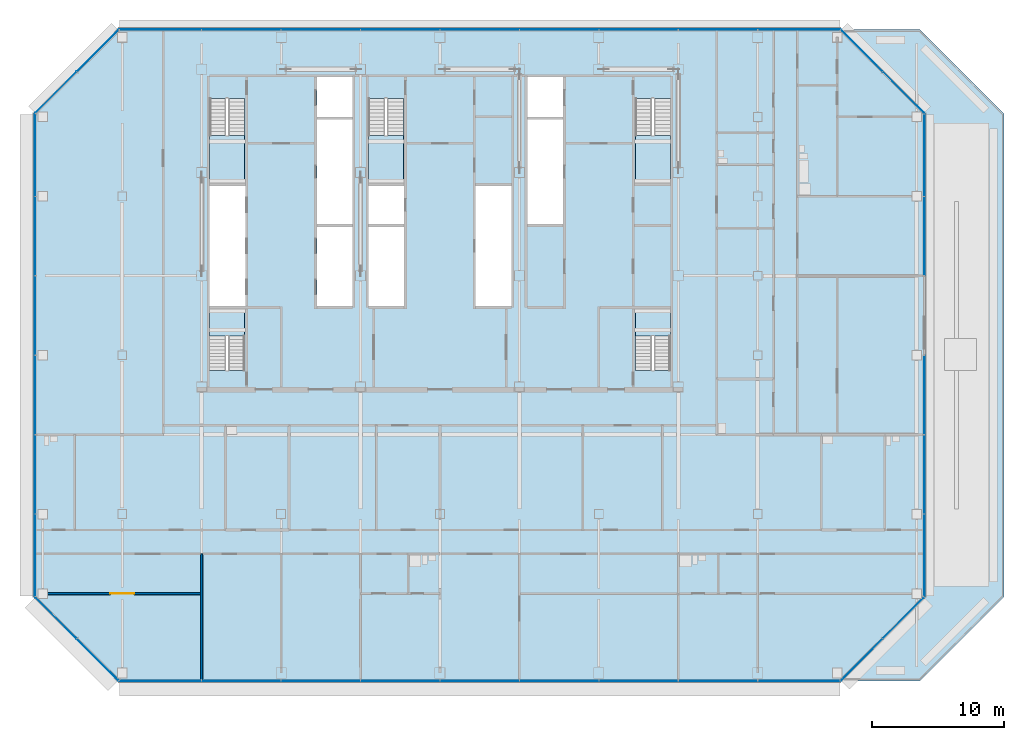
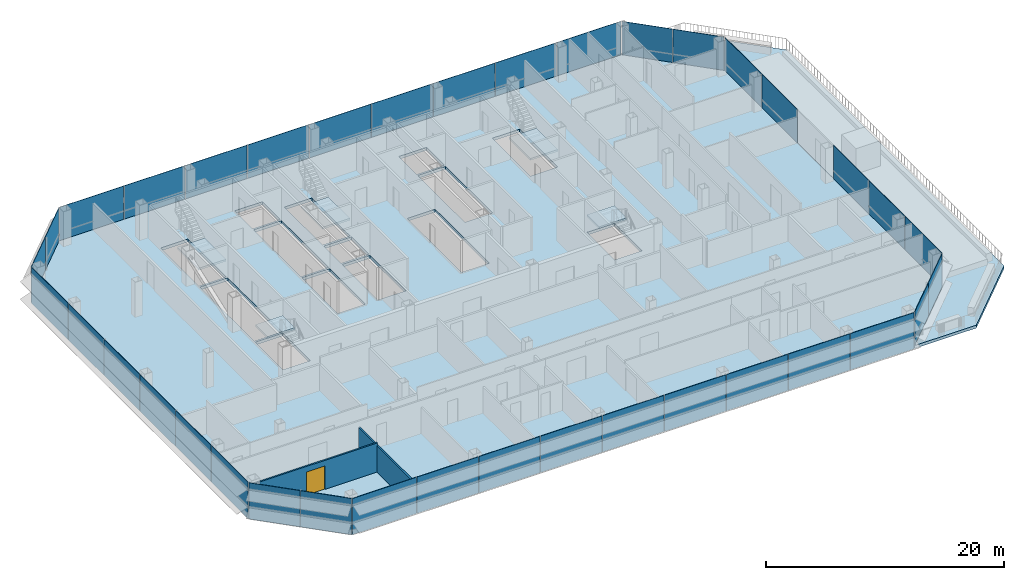
# One storey, part 16 of 28: 37 plates, 7 slabs, 2 walls, 1 door, 1 opening, 13 elements without a shape of their own.
"""IFC4 building model written with IfcOpenShell, lengths in metres."""

from ifc_helpers import new_model, si_unit, direction, frame, frame_2d, origin, origin_2d, place, context, subcontext, project, spatial, polyline, rectangle, outline, extrude, material, layer, layer_set, type_object, element, fill, aggregate, save


model = new_model("IFC4")

# Units and contexts
model_context = context("Model", 3, precision=1e-05, world=origin(), true_north=direction((0.0, 1.0)))
body_context = subcontext(model_context, "Body", "Model", "MODEL_VIEW")
ifc_project = project(units=[si_unit("LENGTHUNIT", "METRE"), si_unit("AREAUNIT", "SQUARE_METRE"), si_unit("VOLUMEUNIT", "CUBIC_METRE"), si_unit("PLANEANGLEUNIT", "RADIAN"), si_unit("MASSUNIT", "GRAM", prefix="KILO")], contexts=[model_context])

# Site, building, storey
site_placement = place(None, origin())
site = spatial("IfcSite", under=ifc_project, at=site_placement, CompositionType="ELEMENT")
building_placement = place(site_placement, origin())
building = spatial("IfcBuilding", under=site, at=building_placement, Name="Sorahane Residences", CompositionType="ELEMENT")
storey_placement = place(building_placement, frame((0.0, 0.0, 96.199951171875)))
storey = spatial("IfcBuildingStorey", under=building, at=storey_placement, Name="L20", CompositionType="ELEMENT", Elevation=96.199951171875)

# Slab
ifc_material_1 = material(Name="Concrete C35", Category="concrete")
ifc_layer_1 = layer(ifc_material_1, 0.300048828125)
ifc_layer_set_1 = layer_set([ifc_layer_1], Name="Composite floor slab 300 mm Concrete C35")
slab_type_1 = type_object("IfcSlabType", Name="Composite floor slab 300 mm Concrete C35", PredefinedType="FLOOR", material=ifc_layer_set_1)
slab_1_placement = place(storey_placement, frame((0.0, 0.0, -0.300048828125)))
element("IfcSlab", 1, at=slab_1_placement, inside=storey, type_object=slab_type_1, Name="Slab L20", PredefinedType="FLOOR", context=body_context, shape_type="SweptSolid", body=[
    extrude(outline(polyline([(-0.24853515625, -0.60009765625), (-6.60009765625, 5.75146484375), (-6.60009765625, 42.24853515625), (-0.24853515625, 48.60009765625), (54.24853515625, 48.60009765625), (60.60009765625, 42.24853515625), (60.60009765625, 5.75146484375), (54.24853515625, -0.60009765625), (-0.24853515625, -0.60009765625)]), holes=[polyline([(18.60009765625, 27.699951171875), (21.300048828125, 27.699951171875), (21.300048828125, 33.699951171875), (18.60009765625, 33.699951171875), (18.60009765625, 27.699951171875)]), polyline([(30.60009765625, 42.0), (33.300048828125, 42.0), (33.300048828125, 45.0), (30.60009765625, 45.0), (30.60009765625, 42.0)]), polyline([(14.699951171875, 27.699951171875), (17.39990234375, 27.699951171875), (17.39990234375, 33.699951171875), (14.699951171875, 33.699951171875), (14.699951171875, 27.699951171875)]), polyline([(14.699951171875, 42.0), (17.39990234375, 42.0), (17.39990234375, 45.0), (14.699951171875, 45.0), (14.699951171875, 42.0)]), polyline([(6.60009765625, 27.699951171875), (9.300048828125, 27.699951171875), (9.300048828125, 36.800048828125), (6.60009765625, 36.800048828125), (6.60009765625, 27.699951171875)]), polyline([(6.60009765625, 43.39990234375), (6.60009765625, 37.0), (9.25, 37.0), (9.25, 43.39990234375), (6.60009765625, 43.39990234375)]), polyline([(38.75, 43.39990234375), (38.75, 37.0), (41.39990234375, 37.0), (41.39990234375, 43.39990234375), (38.75, 43.39990234375)]), polyline([(18.60009765625, 43.39990234375), (18.60009765625, 37.0), (21.25, 37.0), (21.25, 43.39990234375), (18.60009765625, 43.39990234375)]), polyline([(9.25, 22.85009765625), (9.25, 27.5), (6.60009765625, 27.5), (6.60009765625, 22.85009765625), (9.25, 22.85009765625)]), polyline([(41.39990234375, 22.85009765625), (41.39990234375, 27.5), (38.75, 27.5), (38.75, 22.85009765625), (41.39990234375, 22.85009765625)]), polyline([(14.699951171875, 33.89990234375), (17.39990234375, 33.89990234375), (17.39990234375, 41.800048828125), (14.699951171875, 41.800048828125), (14.699951171875, 33.89990234375)]), polyline([(30.60009765625, 33.89990234375), (33.300048828125, 33.89990234375), (33.300048828125, 41.800048828125), (30.60009765625, 41.800048828125), (30.60009765625, 33.89990234375)]), polyline([(18.60009765625, 33.89990234375), (21.300048828125, 33.89990234375), (21.300048828125, 36.800048828125), (18.60009765625, 36.800048828125), (18.60009765625, 33.89990234375)]), polyline([(26.699951171875, 27.699951171875), (29.39990234375, 27.699951171875), (29.39990234375, 36.800048828125), (26.699951171875, 36.800048828125), (26.699951171875, 27.699951171875)])]), origin(), (0.0, 0.0, 1.0), 0.300048828125),
])

# Curtain wall, plates
ifc_material_2 = material(Name="Dark low-e glass and black anodised aluminium", Category="aluminium")
curtain_wall_type_1 = type_object("IfcCurtainWallType", Name="Curtain wall CW-1 Typical unitised wall", PredefinedType="NOTDEFINED", material=ifc_material_2)
curtain_wall_1_placement = place(storey_placement, origin())
curtain_wall_1 = element("IfcCurtainWall", 2, at=curtain_wall_1_placement, inside=storey, type_object=curtain_wall_type_1, Name="CW-1 curtain wall L20 S1", PredefinedType="NOTDEFINED")
ifc_material_3 = material(Name="Dark low-e glass with black ceramic frit", Category="glass")
ifc_layer_2 = layer(ifc_material_3, 0.0400390625)
ifc_layer_set_2 = layer_set([ifc_layer_2], Name="Curtain wall glass panel dark low-e with black frit spandrel band")
plate_type = type_object("IfcPlateType", Name="Curtain wall glass panel dark low-e with black frit spandrel band", PredefinedType="CURTAIN_PANEL", material=ifc_layer_set_2)
plate_1_placement = place(storey_placement, frame((2.88818359375, -0.60009765625, -0.2998046875), z_axis=(0.0, 0.0, 1.0), x_axis=(1.0, 0.0, 0.0)))
plate_1 = element("IfcPlate", 3, at=plate_1_placement, type_object=plate_type, Name="CW-1 glass panel L20 S1.1", PredefinedType="CURTAIN_PANEL", context=body_context, shape_type="SweptSolid", body=[
    extrude(rectangle(XDim=6.173583984375, YDim=0.0400390625, at=origin_2d()), origin(), (0.0, 0.0, 1.0), 3.719970703125),
])
plate_2_placement = place(storey_placement, frame((9.0, -0.60009765625, -0.2998046875), z_axis=(0.0, 0.0, 1.0), x_axis=(1.0, 0.0, 0.0)))
plate_2 = element("IfcPlate", 4, at=plate_2_placement, type_object=plate_type, Name="CW-1 glass panel L20 S1.2", PredefinedType="CURTAIN_PANEL", context=body_context, shape_type="SweptSolid", body=[
    extrude(rectangle(XDim=5.949951171875, YDim=0.0400390625, at=origin_2d()), origin(), (0.0, 0.0, 1.0), 3.719970703125),
])
plate_3_placement = place(storey_placement, frame((15.0, -0.60009765625, -0.2998046875), z_axis=(0.0, 0.0, 1.0), x_axis=(1.0, 0.0, 0.0)))
plate_3 = element("IfcPlate", 5, at=plate_3_placement, type_object=plate_type, Name="CW-1 glass panel L20 S1.3", PredefinedType="CURTAIN_PANEL", context=body_context, shape_type="SweptSolid", body=[
    extrude(rectangle(XDim=5.949951171875, YDim=0.0400390625, at=origin_2d()), origin(), (0.0, 0.0, 1.0), 3.719970703125),
])
plate_4_placement = place(storey_placement, frame((21.0, -0.60009765625, -0.2998046875), z_axis=(0.0, 0.0, 1.0), x_axis=(1.0, 0.0, 0.0)))
plate_4 = element("IfcPlate", 6, at=plate_4_placement, type_object=plate_type, Name="CW-1 glass panel L20 S1.4", PredefinedType="CURTAIN_PANEL", context=body_context, shape_type="SweptSolid", body=[
    extrude(rectangle(XDim=5.949951171875, YDim=0.0400390625, at=origin_2d()), origin(), (0.0, 0.0, 1.0), 3.719970703125),
])
plate_5_placement = place(storey_placement, frame((27.0, -0.60009765625, -0.2998046875), z_axis=(0.0, 0.0, 1.0), x_axis=(1.0, 0.0, 0.0)))
plate_5 = element("IfcPlate", 7, at=plate_5_placement, type_object=plate_type, Name="CW-1 glass panel L20 S1.5", PredefinedType="CURTAIN_PANEL", context=body_context, shape_type="SweptSolid", body=[
    extrude(rectangle(XDim=5.949951171875, YDim=0.0400390625, at=origin_2d()), origin(), (0.0, 0.0, 1.0), 3.719970703125),
])
plate_6_placement = place(storey_placement, frame((33.0, -0.60009765625, -0.2998046875), z_axis=(0.0, 0.0, 1.0), x_axis=(1.0, 0.0, 0.0)))
plate_6 = element("IfcPlate", 8, at=plate_6_placement, type_object=plate_type, Name="CW-1 glass panel L20 S1.6", PredefinedType="CURTAIN_PANEL", context=body_context, shape_type="SweptSolid", body=[
    extrude(rectangle(XDim=5.949951171875, YDim=0.0400390625, at=origin_2d()), origin(), (0.0, 0.0, 1.0), 3.719970703125),
])
plate_7_placement = place(storey_placement, frame((39.0, -0.60009765625, -0.2998046875), z_axis=(0.0, 0.0, 1.0), x_axis=(1.0, 0.0, 0.0)))
plate_7 = element("IfcPlate", 9, at=plate_7_placement, type_object=plate_type, Name="CW-1 glass panel L20 S1.7", PredefinedType="CURTAIN_PANEL", context=body_context, shape_type="SweptSolid", body=[
    extrude(rectangle(XDim=5.949951171875, YDim=0.0400390625, at=origin_2d()), origin(), (0.0, 0.0, 1.0), 3.719970703125),
])
plate_8_placement = place(storey_placement, frame((45.0, -0.60009765625, -0.2998046875), z_axis=(0.0, 0.0, 1.0), x_axis=(1.0, 0.0, 0.0)))
plate_8 = element("IfcPlate", 10, at=plate_8_placement, type_object=plate_type, Name="CW-1 glass panel L20 S1.8", PredefinedType="CURTAIN_PANEL", context=body_context, shape_type="SweptSolid", body=[
    extrude(rectangle(XDim=5.949951171875, YDim=0.0400390625, at=origin_2d()), origin(), (0.0, 0.0, 1.0), 3.719970703125),
])
plate_9_placement = place(storey_placement, frame((51.11181640625, -0.60009765625, -0.2998046875), z_axis=(0.0, 0.0, 1.0), x_axis=(1.0, 0.0, 0.0)))
plate_9 = element("IfcPlate", 11, at=plate_9_placement, type_object=plate_type, Name="CW-1 glass panel L20 S1.9", PredefinedType="CURTAIN_PANEL", context=body_context, shape_type="SweptSolid", body=[
    extrude(rectangle(XDim=6.173583984375, YDim=0.0400390625, at=origin_2d()), origin(), (0.0, 0.0, 1.0), 3.719970703125),
])
aggregate(curtain_wall_1, [plate_1, plate_2, plate_3, plate_4, plate_5, plate_6, plate_7, plate_8, plate_9])

ifc_material_4 = material(Name="Dark low-e glass and black anodised aluminium", Category="aluminium")
curtain_wall_type_2 = type_object("IfcCurtainWallType", Name="Curtain wall CW-2 Chamfer unitised wall", PredefinedType="NOTDEFINED", material=ifc_material_4)
curtain_wall_2_placement = place(storey_placement, origin())
curtain_wall_2 = element("IfcCurtainWall", 12, at=curtain_wall_2_placement, inside=storey, type_object=curtain_wall_type_2, Name="CW-2 curtain wall L20 SE1", PredefinedType="NOTDEFINED")
plate_10_placement = place(storey_placement, frame((55.84521484375, 0.996826171875, -0.2998046875), z_axis=(0.0, 0.0, 1.0), x_axis=(0.707106781187, 0.707106781187, 0.0)))
plate_10 = element("IfcPlate", 13, at=plate_10_placement, type_object=plate_type, Name="CW-2 glass panel L20 SE1.1", PredefinedType="CURTAIN_PANEL", context=body_context, shape_type="SweptSolid", body=[
    extrude(rectangle(XDim=4.416259765625, YDim=0.0400390625, at=origin_2d()), origin(), (0.0, 0.0, 1.0), 3.719970703125),
])
plate_11_placement = place(storey_placement, frame((59.003173828125, 4.15478515625, -0.2998046875), z_axis=(0.0, 0.0, 1.0), x_axis=(0.707106781187, 0.707106781187, 0.0)))
plate_11 = element("IfcPlate", 14, at=plate_11_placement, type_object=plate_type, Name="CW-2 glass panel L20 SE1.2", PredefinedType="CURTAIN_PANEL", context=body_context, shape_type="SweptSolid", body=[
    extrude(rectangle(XDim=4.416259765625, YDim=0.0400390625, at=origin_2d()), origin(), (0.0, 0.0, 1.0), 3.719970703125),
])
aggregate(curtain_wall_2, [plate_10, plate_11])

curtain_wall_3_placement = place(storey_placement, origin())
curtain_wall_3 = element("IfcCurtainWall", 15, at=curtain_wall_3_placement, inside=storey, type_object=curtain_wall_type_1, Name="CW-1 curtain wall L20 E1", PredefinedType="NOTDEFINED")
plate_12_placement = place(storey_placement, frame((60.60009765625, 8.88818359375, -0.2998046875), z_axis=(0.0, 0.0, 1.0), x_axis=(0.0, 1.0, 0.0)))
plate_12 = element("IfcPlate", 16, at=plate_12_placement, type_object=plate_type, Name="CW-1 glass panel L20 E1.1", PredefinedType="CURTAIN_PANEL", context=body_context, shape_type="SweptSolid", body=[
    extrude(rectangle(XDim=6.173583984375, YDim=0.0400390625, at=origin_2d()), origin(), (0.0, 0.0, 1.0), 3.719970703125),
])
plate_13_placement = place(storey_placement, frame((60.60009765625, 15.0, -0.2998046875), z_axis=(0.0, 0.0, 1.0), x_axis=(0.0, 1.0, 0.0)))
plate_13 = element("IfcPlate", 17, at=plate_13_placement, type_object=plate_type, Name="CW-1 glass panel L20 E1.2", PredefinedType="CURTAIN_PANEL", context=body_context, shape_type="SweptSolid", body=[
    extrude(rectangle(XDim=5.949951171875, YDim=0.0400390625, at=origin_2d()), origin(), (0.0, 0.0, 1.0), 3.719970703125),
])
plate_14_placement = place(storey_placement, frame((60.60009765625, 21.0, -0.2998046875), z_axis=(0.0, 0.0, 1.0), x_axis=(0.0, 1.0, 0.0)))
plate_14 = element("IfcPlate", 18, at=plate_14_placement, type_object=plate_type, Name="CW-1 glass panel L20 E1.3", PredefinedType="CURTAIN_PANEL", context=body_context, shape_type="SweptSolid", body=[
    extrude(rectangle(XDim=5.949951171875, YDim=0.0400390625, at=origin_2d()), origin(), (0.0, 0.0, 1.0), 3.719970703125),
])
plate_15_placement = place(storey_placement, frame((60.60009765625, 33.0, -0.2998046875), z_axis=(0.0, 0.0, 1.0), x_axis=(0.0, 1.0, 0.0)))
plate_15 = element("IfcPlate", 19, at=plate_15_placement, type_object=plate_type, Name="CW-1 glass panel L20 E1.5", PredefinedType="CURTAIN_PANEL", context=body_context, shape_type="SweptSolid", body=[
    extrude(rectangle(XDim=5.949951171875, YDim=0.0400390625, at=origin_2d()), origin(), (0.0, 0.0, 1.0), 3.719970703125),
])
plate_16_placement = place(storey_placement, frame((60.60009765625, 39.11181640625, -0.2998046875), z_axis=(0.0, 0.0, 1.0), x_axis=(0.0, 1.0, 0.0)))
plate_16 = element("IfcPlate", 20, at=plate_16_placement, type_object=plate_type, Name="CW-1 glass panel L20 E1.6", PredefinedType="CURTAIN_PANEL", context=body_context, shape_type="SweptSolid", body=[
    extrude(rectangle(XDim=6.173583984375, YDim=0.0400390625, at=origin_2d()), origin(), (0.0, 0.0, 1.0), 3.719970703125),
])
aggregate(curtain_wall_3, [plate_12, plate_13, plate_14, plate_15, plate_16])

curtain_wall_4_placement = place(storey_placement, origin())
curtain_wall_4 = element("IfcCurtainWall", 21, at=curtain_wall_4_placement, inside=storey, type_object=curtain_wall_type_2, Name="CW-2 curtain wall L20 NE1", PredefinedType="NOTDEFINED")
plate_17_placement = place(storey_placement, frame((59.003173828125, 43.84521484375, -0.2998046875), z_axis=(0.0, 0.0, 1.0), x_axis=(-0.707106781187, 0.707106781187, 0.0)))
plate_17 = element("IfcPlate", 22, at=plate_17_placement, type_object=plate_type, Name="CW-2 glass panel L20 NE1.1", PredefinedType="CURTAIN_PANEL", context=body_context, shape_type="SweptSolid", body=[
    extrude(rectangle(XDim=4.416259765625, YDim=0.0400390625, at=origin_2d()), origin(), (0.0, 0.0, 1.0), 3.719970703125),
])
plate_18_placement = place(storey_placement, frame((55.84521484375, 47.003173828125, -0.2998046875), z_axis=(0.0, 0.0, 1.0), x_axis=(-0.707106781187, 0.707106781187, 0.0)))
plate_18 = element("IfcPlate", 23, at=plate_18_placement, type_object=plate_type, Name="CW-2 glass panel L20 NE1.2", PredefinedType="CURTAIN_PANEL", context=body_context, shape_type="SweptSolid", body=[
    extrude(rectangle(XDim=4.416259765625, YDim=0.0400390625, at=origin_2d()), origin(), (0.0, 0.0, 1.0), 3.719970703125),
])
aggregate(curtain_wall_4, [plate_17, plate_18])

curtain_wall_5_placement = place(storey_placement, origin())
curtain_wall_5 = element("IfcCurtainWall", 24, at=curtain_wall_5_placement, inside=storey, type_object=curtain_wall_type_1, Name="CW-1 curtain wall L20 N1", PredefinedType="NOTDEFINED")
plate_19_placement = place(storey_placement, frame((51.11181640625, 48.60009765625, -0.2998046875), z_axis=(0.0, 0.0, 1.0), x_axis=(-1.0, 0.0, 0.0)))
plate_19 = element("IfcPlate", 25, at=plate_19_placement, type_object=plate_type, Name="CW-1 glass panel L20 N1.1", PredefinedType="CURTAIN_PANEL", context=body_context, shape_type="SweptSolid", body=[
    extrude(rectangle(XDim=6.173583984375, YDim=0.0400390625, at=origin_2d()), origin(), (0.0, 0.0, 1.0), 3.719970703125),
])
plate_20_placement = place(storey_placement, frame((45.0, 48.60009765625, -0.2998046875), z_axis=(0.0, 0.0, 1.0), x_axis=(-1.0, 0.0, 0.0)))
plate_20 = element("IfcPlate", 26, at=plate_20_placement, type_object=plate_type, Name="CW-1 glass panel L20 N1.2", PredefinedType="CURTAIN_PANEL", context=body_context, shape_type="SweptSolid", body=[
    extrude(rectangle(XDim=5.949951171875, YDim=0.0400390625, at=origin_2d()), origin(), (0.0, 0.0, 1.0), 3.719970703125),
])
plate_21_placement = place(storey_placement, frame((39.0, 48.60009765625, -0.2998046875), z_axis=(0.0, 0.0, 1.0), x_axis=(-1.0, 0.0, 0.0)))
plate_21 = element("IfcPlate", 27, at=plate_21_placement, type_object=plate_type, Name="CW-1 glass panel L20 N1.3", PredefinedType="CURTAIN_PANEL", context=body_context, shape_type="SweptSolid", body=[
    extrude(rectangle(XDim=5.949951171875, YDim=0.0400390625, at=origin_2d()), origin(), (0.0, 0.0, 1.0), 3.719970703125),
])
plate_22_placement = place(storey_placement, frame((33.0, 48.60009765625, -0.2998046875), z_axis=(0.0, 0.0, 1.0), x_axis=(-1.0, 0.0, 0.0)))
plate_22 = element("IfcPlate", 28, at=plate_22_placement, type_object=plate_type, Name="CW-1 glass panel L20 N1.4", PredefinedType="CURTAIN_PANEL", context=body_context, shape_type="SweptSolid", body=[
    extrude(rectangle(XDim=5.949951171875, YDim=0.0400390625, at=origin_2d()), origin(), (0.0, 0.0, 1.0), 3.719970703125),
])
plate_23_placement = place(storey_placement, frame((27.0, 48.60009765625, -0.2998046875), z_axis=(0.0, 0.0, 1.0), x_axis=(-1.0, 0.0, 0.0)))
plate_23 = element("IfcPlate", 29, at=plate_23_placement, type_object=plate_type, Name="CW-1 glass panel L20 N1.5", PredefinedType="CURTAIN_PANEL", context=body_context, shape_type="SweptSolid", body=[
    extrude(rectangle(XDim=5.949951171875, YDim=0.0400390625, at=origin_2d()), origin(), (0.0, 0.0, 1.0), 3.719970703125),
])
plate_24_placement = place(storey_placement, frame((21.0, 48.60009765625, -0.2998046875), z_axis=(0.0, 0.0, 1.0), x_axis=(-1.0, 0.0, 0.0)))
plate_24 = element("IfcPlate", 30, at=plate_24_placement, type_object=plate_type, Name="CW-1 glass panel L20 N1.6", PredefinedType="CURTAIN_PANEL", context=body_context, shape_type="SweptSolid", body=[
    extrude(rectangle(XDim=5.949951171875, YDim=0.0400390625, at=origin_2d()), origin(), (0.0, 0.0, 1.0), 3.719970703125),
])
plate_25_placement = place(storey_placement, frame((15.0, 48.60009765625, -0.2998046875), z_axis=(0.0, 0.0, 1.0), x_axis=(-1.0, 0.0, 0.0)))
plate_25 = element("IfcPlate", 31, at=plate_25_placement, type_object=plate_type, Name="CW-1 glass panel L20 N1.7", PredefinedType="CURTAIN_PANEL", context=body_context, shape_type="SweptSolid", body=[
    extrude(rectangle(XDim=5.949951171875, YDim=0.0400390625, at=origin_2d()), origin(), (0.0, 0.0, 1.0), 3.719970703125),
])
plate_26_placement = place(storey_placement, frame((9.0, 48.60009765625, -0.2998046875), z_axis=(0.0, 0.0, 1.0), x_axis=(-1.0, 0.0, 0.0)))
plate_26 = element("IfcPlate", 32, at=plate_26_placement, type_object=plate_type, Name="CW-1 glass panel L20 N1.8", PredefinedType="CURTAIN_PANEL", context=body_context, shape_type="SweptSolid", body=[
    extrude(rectangle(XDim=5.949951171875, YDim=0.0400390625, at=origin_2d()), origin(), (0.0, 0.0, 1.0), 3.719970703125),
])
plate_27_placement = place(storey_placement, frame((2.88818359375, 48.60009765625, -0.2998046875), z_axis=(0.0, 0.0, 1.0), x_axis=(-1.0, 0.0, 0.0)))
plate_27 = element("IfcPlate", 33, at=plate_27_placement, type_object=plate_type, Name="CW-1 glass panel L20 N1.9", PredefinedType="CURTAIN_PANEL", context=body_context, shape_type="SweptSolid", body=[
    extrude(rectangle(XDim=6.173583984375, YDim=0.0400390625, at=origin_2d()), origin(), (0.0, 0.0, 1.0), 3.719970703125),
])
aggregate(curtain_wall_5, [plate_19, plate_20, plate_21, plate_22, plate_23, plate_24, plate_25, plate_26, plate_27])

curtain_wall_6_placement = place(storey_placement, origin())
curtain_wall_6 = element("IfcCurtainWall", 34, at=curtain_wall_6_placement, inside=storey, type_object=curtain_wall_type_2, Name="CW-2 curtain wall L20 NW1", PredefinedType="NOTDEFINED")
plate_28_placement = place(storey_placement, frame((-1.84521484375, 47.003173828125, -0.2998046875), z_axis=(0.0, 0.0, 1.0), x_axis=(-0.707106781187, -0.707106781187, 0.0)))
plate_28 = element("IfcPlate", 35, at=plate_28_placement, type_object=plate_type, Name="CW-2 glass panel L20 NW1.1", PredefinedType="CURTAIN_PANEL", context=body_context, shape_type="SweptSolid", body=[
    extrude(rectangle(XDim=4.416259765625, YDim=0.0400390625, at=origin_2d()), origin(), (0.0, 0.0, 1.0), 3.719970703125),
])
plate_29_placement = place(storey_placement, frame((-5.003173828125, 43.84521484375, -0.2998046875), z_axis=(0.0, 0.0, 1.0), x_axis=(-0.707106781187, -0.707106781187, 0.0)))
plate_29 = element("IfcPlate", 36, at=plate_29_placement, type_object=plate_type, Name="CW-2 glass panel L20 NW1.2", PredefinedType="CURTAIN_PANEL", context=body_context, shape_type="SweptSolid", body=[
    extrude(rectangle(XDim=4.416259765625, YDim=0.0400390625, at=origin_2d()), origin(), (0.0, 0.0, 1.0), 3.719970703125),
])
aggregate(curtain_wall_6, [plate_28, plate_29])

curtain_wall_7_placement = place(storey_placement, origin())
curtain_wall_7 = element("IfcCurtainWall", 37, at=curtain_wall_7_placement, inside=storey, type_object=curtain_wall_type_1, Name="CW-1 curtain wall L20 W1", PredefinedType="NOTDEFINED")
plate_30_placement = place(storey_placement, frame((-6.60009765625, 39.11181640625, -0.2998046875), z_axis=(0.0, 0.0, 1.0), x_axis=(0.0, -1.0, 0.0)))
plate_30 = element("IfcPlate", 38, at=plate_30_placement, type_object=plate_type, Name="CW-1 glass panel L20 W1.1", PredefinedType="CURTAIN_PANEL", context=body_context, shape_type="SweptSolid", body=[
    extrude(rectangle(XDim=6.173583984375, YDim=0.0400390625, at=origin_2d()), origin(), (0.0, 0.0, 1.0), 3.719970703125),
])
plate_31_placement = place(storey_placement, frame((-6.60009765625, 33.0, -0.2998046875), z_axis=(0.0, 0.0, 1.0), x_axis=(0.0, -1.0, 0.0)))
plate_31 = element("IfcPlate", 39, at=plate_31_placement, type_object=plate_type, Name="CW-1 glass panel L20 W1.2", PredefinedType="CURTAIN_PANEL", context=body_context, shape_type="SweptSolid", body=[
    extrude(rectangle(XDim=5.949951171875, YDim=0.0400390625, at=origin_2d()), origin(), (0.0, 0.0, 1.0), 3.719970703125),
])
plate_32_placement = place(storey_placement, frame((-6.60009765625, 27.0, -0.2998046875), z_axis=(0.0, 0.0, 1.0), x_axis=(0.0, -1.0, 0.0)))
plate_32 = element("IfcPlate", 40, at=plate_32_placement, type_object=plate_type, Name="CW-1 glass panel L20 W1.3", PredefinedType="CURTAIN_PANEL", context=body_context, shape_type="SweptSolid", body=[
    extrude(rectangle(XDim=5.949951171875, YDim=0.0400390625, at=origin_2d()), origin(), (0.0, 0.0, 1.0), 3.719970703125),
])
plate_33_placement = place(storey_placement, frame((-6.60009765625, 21.0, -0.2998046875), z_axis=(0.0, 0.0, 1.0), x_axis=(0.0, -1.0, 0.0)))
plate_33 = element("IfcPlate", 41, at=plate_33_placement, type_object=plate_type, Name="CW-1 glass panel L20 W1.4", PredefinedType="CURTAIN_PANEL", context=body_context, shape_type="SweptSolid", body=[
    extrude(rectangle(XDim=5.949951171875, YDim=0.0400390625, at=origin_2d()), origin(), (0.0, 0.0, 1.0), 3.719970703125),
])
plate_34_placement = place(storey_placement, frame((-6.60009765625, 15.0, -0.2998046875), z_axis=(0.0, 0.0, 1.0), x_axis=(0.0, -1.0, 0.0)))
plate_34 = element("IfcPlate", 42, at=plate_34_placement, type_object=plate_type, Name="CW-1 glass panel L20 W1.5", PredefinedType="CURTAIN_PANEL", context=body_context, shape_type="SweptSolid", body=[
    extrude(rectangle(XDim=5.949951171875, YDim=0.0400390625, at=origin_2d()), origin(), (0.0, 0.0, 1.0), 3.719970703125),
])
plate_35_placement = place(storey_placement, frame((-6.60009765625, 8.88818359375, -0.2998046875), z_axis=(0.0, 0.0, 1.0), x_axis=(0.0, -1.0, 0.0)))
plate_35 = element("IfcPlate", 43, at=plate_35_placement, type_object=plate_type, Name="CW-1 glass panel L20 W1.6", PredefinedType="CURTAIN_PANEL", context=body_context, shape_type="SweptSolid", body=[
    extrude(rectangle(XDim=6.173583984375, YDim=0.0400390625, at=origin_2d()), origin(), (0.0, 0.0, 1.0), 3.719970703125),
])
aggregate(curtain_wall_7, [plate_30, plate_31, plate_32, plate_33, plate_34, plate_35])

curtain_wall_8_placement = place(storey_placement, origin())
curtain_wall_8 = element("IfcCurtainWall", 44, at=curtain_wall_8_placement, inside=storey, type_object=curtain_wall_type_2, Name="CW-2 curtain wall L20 SW1", PredefinedType="NOTDEFINED")
plate_36_placement = place(storey_placement, frame((-5.003173828125, 4.15478515625, -0.2998046875), z_axis=(0.0, 0.0, 1.0), x_axis=(0.707106781187, -0.707106781187, 0.0)))
plate_36 = element("IfcPlate", 45, at=plate_36_placement, type_object=plate_type, Name="CW-2 glass panel L20 SW1.1", PredefinedType="CURTAIN_PANEL", context=body_context, shape_type="SweptSolid", body=[
    extrude(rectangle(XDim=4.416259765625, YDim=0.0400390625, at=origin_2d()), origin(), (0.0, 0.0, 1.0), 3.719970703125),
])
plate_37_placement = place(storey_placement, frame((-1.84521484375, 0.996826171875, -0.2998046875), z_axis=(0.0, 0.0, 1.0), x_axis=(0.707106781187, -0.707106781187, 0.0)))
plate_37 = element("IfcPlate", 46, at=plate_37_placement, type_object=plate_type, Name="CW-2 glass panel L20 SW1.2", PredefinedType="CURTAIN_PANEL", context=body_context, shape_type="SweptSolid", body=[
    extrude(rectangle(XDim=4.416259765625, YDim=0.0400390625, at=origin_2d()), origin(), (0.0, 0.0, 1.0), 3.719970703125),
])
aggregate(curtain_wall_8, [plate_36, plate_37])

# Slab
ifc_material_5 = material(Name="Concrete C35", Category="concrete")
ifc_layer_3 = layer(ifc_material_5, 0.300048828125)
ifc_layer_set_3 = layer_set([ifc_layer_3], Name="Roof terrace slab Concrete C35 paved 300")
slab_type_2 = type_object("IfcSlabType", Name="Roof terrace slab Concrete C35 paved 300", PredefinedType="ROOF", material=ifc_layer_set_3)
slab_2_placement = place(storey_placement, frame((0.0, 0.0, -0.300048828125)))
element("IfcSlab", 47, at=slab_2_placement, inside=storey, type_object=slab_type_2, Name="Terrace slab L19.1", PredefinedType="ROOF", context=body_context, shape_type="SweptSolid", body=[
    extrude(outline(polyline([(60.24853515625, 48.60009765625), (66.60009765625, 42.24853515625), (66.60009765625, 5.75146484375), (60.24853515625, -0.60009765625), (54.24853515625, -0.60009765625), (60.60009765625, 5.75146484375), (60.60009765625, 42.24853515625), (54.24853515625, 48.60009765625), (60.24853515625, 48.60009765625)])), origin(), (0.0, 0.0, 1.0), 0.300048828125),
])

# Stair, slab
ifc_material_6 = material(Name="Concrete C40", Category="concrete")
stair_type = type_object("IfcStairType", Name="Dog-leg stair 1250 Concrete C40", PredefinedType="HALF_TURN_STAIR", material=ifc_material_6)
stair_1_placement = place(storey_placement, origin())
stair_1 = element("IfcStair", 48, at=stair_1_placement, inside=storey, type_object=stair_type, Name="L20 Stair S1", PredefinedType="HALF_TURN_STAIR")
ifc_material_7 = material(Name="Concrete C40", Category="concrete")
ifc_layer_4 = layer(ifc_material_7, 0.199951171875)
ifc_layer_set_4 = layer_set([ifc_layer_4], Name="Stair landing 200 Concrete C40")
slab_type_3 = type_object("IfcSlabType", Name="Stair landing 200 Concrete C40", PredefinedType="LANDING", material=ifc_layer_set_4)
slab_3_placement = place(storey_placement, frame((0.0, 0.0, 1.60009765625)))
slab_3 = element("IfcSlab", 49, at=slab_3_placement, type_object=slab_type_3, Name="S1 landing 1", PredefinedType="LANDING", context=body_context, shape_type="SweptSolid", body=[
    extrude(outline(polyline([(6.60009765625, 40.60009765625), (6.60009765625, 37.0), (9.25, 37.0), (9.25, 40.60009765625), (6.60009765625, 40.60009765625)])), origin(), (0.0, 0.0, 1.0), 0.199951171875),
])
aggregate(stair_1, [slab_3])

stair_2_placement = place(storey_placement, origin())
stair_2 = element("IfcStair", 50, at=stair_2_placement, inside=storey, type_object=stair_type, Name="L20 Stair S2", PredefinedType="HALF_TURN_STAIR")
slab_4_placement = place(storey_placement, frame((0.0, 0.0, 1.60009765625)))
slab_4 = element("IfcSlab", 51, at=slab_4_placement, type_object=slab_type_3, Name="S2 landing 1", PredefinedType="LANDING", context=body_context, shape_type="SweptSolid", body=[
    extrude(outline(polyline([(38.75, 40.60009765625), (38.75, 37.0), (41.39990234375, 37.0), (41.39990234375, 40.60009765625), (38.75, 40.60009765625)])), origin(), (0.0, 0.0, 1.0), 0.199951171875),
])
aggregate(stair_2, [slab_4])

stair_3_placement = place(storey_placement, origin())
stair_3 = element("IfcStair", 52, at=stair_3_placement, inside=storey, type_object=stair_type, Name="L20 Stair S3", PredefinedType="HALF_TURN_STAIR")
slab_5_placement = place(storey_placement, frame((0.0, 0.0, 1.60009765625)))
slab_5 = element("IfcSlab", 53, at=slab_5_placement, type_object=slab_type_3, Name="S3 landing 1", PredefinedType="LANDING", context=body_context, shape_type="SweptSolid", body=[
    extrude(outline(polyline([(18.60009765625, 40.60009765625), (18.60009765625, 37.0), (21.25, 37.0), (21.25, 40.60009765625), (18.60009765625, 40.60009765625)])), origin(), (0.0, 0.0, 1.0), 0.199951171875),
])
aggregate(stair_3, [slab_5])

stair_4_placement = place(storey_placement, origin())
stair_4 = element("IfcStair", 54, at=stair_4_placement, inside=storey, type_object=stair_type, Name="L20 Stair S4", PredefinedType="HALF_TURN_STAIR")
slab_6_placement = place(storey_placement, frame((0.0, 0.0, 1.60009765625)))
slab_6 = element("IfcSlab", 55, at=slab_6_placement, type_object=slab_type_3, Name="S4 landing 1", PredefinedType="LANDING", context=body_context, shape_type="SweptSolid", body=[
    extrude(outline(polyline([(9.25, 25.449951171875), (9.25, 27.5), (6.60009765625, 27.5), (6.60009765625, 25.449951171875), (9.25, 25.449951171875)])), origin(), (0.0, 0.0, 1.0), 0.199951171875),
])
aggregate(stair_4, [slab_6])

stair_5_placement = place(storey_placement, origin())
stair_5 = element("IfcStair", 56, at=stair_5_placement, inside=storey, type_object=stair_type, Name="L20 Stair S5", PredefinedType="HALF_TURN_STAIR")
slab_7_placement = place(storey_placement, frame((0.0, 0.0, 1.60009765625)))
slab_7 = element("IfcSlab", 57, at=slab_7_placement, type_object=slab_type_3, Name="S5 landing 1", PredefinedType="LANDING", context=body_context, shape_type="SweptSolid", body=[
    extrude(outline(polyline([(41.39990234375, 25.449951171875), (41.39990234375, 27.5), (38.75, 27.5), (38.75, 25.449951171875), (41.39990234375, 25.449951171875)])), origin(), (0.0, 0.0, 1.0), 0.199951171875),
])
aggregate(stair_5, [slab_7])

# Wall
ifc_material_8 = material(Name="Gypsum board partition on steel studs", Category="steel")
ifc_layer_5 = layer(ifc_material_8, 0.14990234375)
ifc_layer_set_5 = layer_set([ifc_layer_5], Name="Partition 150 EI 90")
wall_type = type_object("IfcWallType", Name="Partition 150 EI 90", PredefinedType="PARTITIONING", material=ifc_layer_set_5)
wall_1_placement = place(storey_placement, frame((6.0, -0.60009765625, 0.0), z_axis=(0.0, 0.0, 1.0), x_axis=(0.0, 1.0, 0.0)))
element("IfcWall", 58, at=wall_1_placement, inside=storey, type_object=wall_type, Name="L20 partition", PredefinedType="PARTITIONING", context=body_context, shape_type="SweptSolid", body=[
    extrude(rectangle(XDim=9.60009765625, YDim=0.14990234375, at=frame_2d((4.800048828125, 0.0))), origin(), (0.0, 0.0, 1.0), 2.719970703125),
])

# Wall, opening, door
wall_2_placement = place(storey_placement, frame((-6.0, 6.0, 0.0), z_axis=(0.0, 0.0, 1.0), x_axis=(1.0, 0.0, 0.0)))
wall_2 = element("IfcWall", 59, at=wall_2_placement, inside=storey, type_object=wall_type, Name="L20 partition", PredefinedType="PARTITIONING", context=body_context, shape_type="SweptSolid", body=[
    extrude(rectangle(XDim=12.0, YDim=0.14990234375, at=frame_2d((6.0, 0.0))), origin(), (0.0, 0.0, 1.0), 2.969970703125),
])
opening_placement = place(wall_2_placement, frame((5.10009765625, 0.0, 0.0)))
opening = element("IfcOpeningElement", 60, at=opening_placement, cuts=wall_2, Name="Opening L20-10", PredefinedType="OPENING", context=body_context, shape_type="SweptSolid", body=[
    extrude(rectangle(XDim=1.800048828125, YDim=2.39990234375, at=frame_2d((0.89990234375, 1.199951171875))), frame((0.0, 0.0849609375, 0.0), z_axis=(0.0, -1.0, 0.0), x_axis=(1.0, 0.0, 0.0)), (0.0, 0.0, 1.0), 0.169921875),
])
ifc_material_9 = material(Name="Timber veneered fire door", Category="wood")
door_type = type_object("IfcDoorType", Name="Double door 1800x2400 FD30", OperationType="NOTDEFINED", PredefinedType="DOOR", material=ifc_material_9)
door_placement = place(opening_placement, frame((1.800048828125, 0.0, 0.0), z_axis=(0.0, 0.0, 1.0), x_axis=(-1.0, 0.0, 0.0)))
door = element("IfcDoor", 61, at=door_placement, inside=storey, type_object=door_type, Name="Double door L20-10", OperationType="SINGLE_SWING_LEFT", OverallHeight=2.39990234375, OverallWidth=1.800048828125, PredefinedType="DOOR", context=body_context, shape_type="SweptSolid", body=[
    extrude(rectangle(XDim=1.800048828125, YDim=2.39990234375, at=frame_2d((0.89990234375, 1.199951171875))), frame((0.0, 0.02490234375, 0.0), z_axis=(0.0, -1.0, 0.0), x_axis=(1.0, 0.0, 0.0)), (0.0, 0.0, 1.0), 0.050048828125),
])
fill(opening, door)

save(model, "model.ifc")
